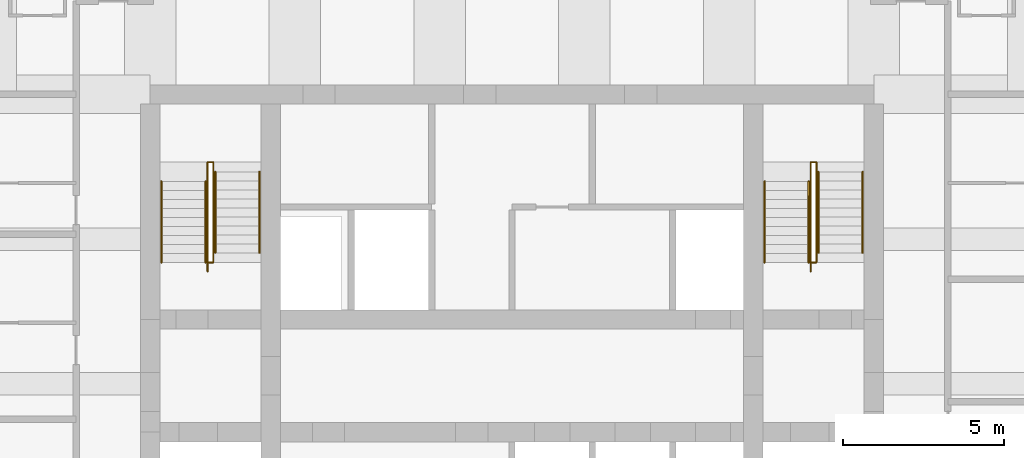
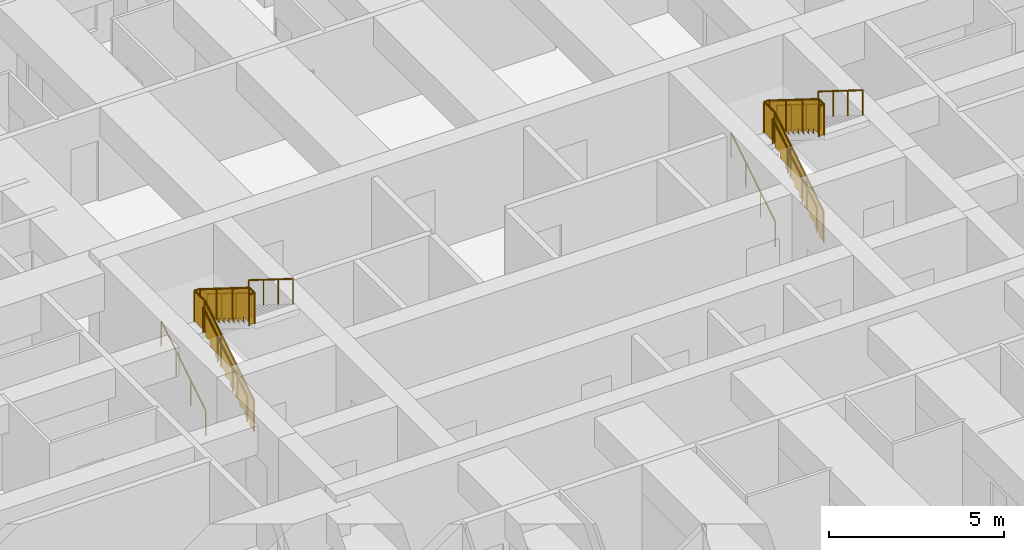
# One storey, part 8 of 8: 12 railings.
"""IFC4 building model written with IfcOpenShell, lengths in metres."""

from ifc_helpers import new_model, si_unit, direction, frame, origin, origin_2d, place, context, subcontext, project, spatial, polyline, circle, outline, extrude, material, type_object, element, save


model = new_model("IFC4")

# Units and contexts
model_context = context("Model", 3, precision=1e-05, world=origin(), true_north=direction((0.0, 1.0)))
body_context = subcontext(model_context, "Body", "Model", "MODEL_VIEW")
ifc_project = project(units=[si_unit("LENGTHUNIT", "METRE"), si_unit("AREAUNIT", "SQUARE_METRE"), si_unit("VOLUMEUNIT", "CUBIC_METRE"), si_unit("PLANEANGLEUNIT", "RADIAN"), si_unit("MASSUNIT", "GRAM", prefix="KILO")], contexts=[model_context])

# Site, building, storey
site_placement = place(None, origin())
site = spatial("IfcSite", under=ifc_project, at=site_placement, CompositionType="ELEMENT")
building_placement = place(site_placement, origin())
building = spatial("IfcBuilding", under=site, at=building_placement, Name="Kilele Tower Hotel", CompositionType="ELEMENT")
storey_placement = place(building_placement, frame((0.0, 0.0, 135.39990234375)))
storey = spatial("IfcBuildingStorey", under=building, at=storey_placement, Name="L35", CompositionType="ELEMENT", Elevation=135.39990234375)

# Railings
ifc_material_1 = material(Name="Steel handrail", Category="steel")
railing_type_1 = type_object("IfcRailingType", Name="Handrail 900", PredefinedType="HANDRAIL", material=ifc_material_1)
for number, where, name in (
    (1, (13.85009765625, 21.77490234375, 0.175048828125), "Handrail ST1 flight 1"),
    (2, (15.22509765625, 21.77490234375, 0.175048828125), "Handrail ST1 flight 1"),
):
    element("IfcRailing", number, at=place(storey_placement, frame(where)), inside=storey, type_object=railing_type_1, Name=name, PredefinedType="HANDRAIL", context=body_context, shape_type="SweptSolid", body=[
        extrude(circle(Radius=0.02490234375, at=origin_2d()), frame((0.0, 0.0, 0.875), z_axis=(0.0, 0.848007534815, 0.529984170421), x_axis=(-1.0, 0.0, 0.0)), (0.0, 0.0, 1.0), 2.9716796875),
        extrude(circle(Radius=0.02001953125, at=origin_2d()), origin(), (0.0, 0.0, 1.0), 0.849853515625),
        extrude(circle(Radius=0.02001953125, at=origin_2d()), frame((0.0, 0.840087890625, 0.52490234375)), (0.0, 0.0, 1.0), 0.849853515625),
        extrude(circle(Radius=0.02001953125, at=origin_2d()), frame((0.0, 1.679931640625, 1.050048828125)), (0.0, 0.0, 1.0), 0.849853515625),
        extrude(circle(Radius=0.02001953125, at=origin_2d()), frame((0.0, 2.52001953125, 1.574951171875)), (0.0, 0.0, 1.0), 0.849853515625),
    ])
for number, where, name in (
    (3, (15.52490234375, 24.594970703125, 1.925048828125), "Handrail ST1 flight 2"),
    (4, (16.89990234375, 24.594970703125, 1.925048828125), "Handrail ST1 flight 2"),
):
    element("IfcRailing", number, at=place(storey_placement, frame(where)), inside=storey, type_object=railing_type_1, Name=name, PredefinedType="HANDRAIL", context=body_context, shape_type="SweptSolid", body=[
        extrude(circle(Radius=0.02490234375, at=origin_2d()), frame((0.0, 0.0, 0.875), z_axis=(0.0, -0.848007534815, 0.529984170421), x_axis=(1.0, 0.0, 0.0)), (0.0, 0.0, 1.0), 2.9716796875),
        extrude(circle(Radius=0.02001953125, at=origin_2d()), origin(), (0.0, 0.0, 1.0), 0.849853515625),
        extrude(circle(Radius=0.02001953125, at=origin_2d()), frame((0.0, -0.840087890625, 0.52490234375)), (0.0, 0.0, 1.0), 0.849853515625),
        extrude(circle(Radius=0.02001953125, at=origin_2d()), frame((0.0, -1.679931640625, 1.050048828125)), (0.0, 0.0, 1.0), 0.849853515625),
        extrude(circle(Radius=0.02001953125, at=origin_2d()), frame((0.0, -2.52001953125, 1.574951171875)), (0.0, 0.0, 1.0), 0.849853515625),
    ])
for number, where, name in (
    (5, (32.60009765625, 21.77490234375, 0.175048828125), "Handrail ST2 flight 1"),
    (6, (33.97509765625, 21.77490234375, 0.175048828125), "Handrail ST2 flight 1"),
):
    element("IfcRailing", number, at=place(storey_placement, frame(where)), inside=storey, type_object=railing_type_1, Name=name, PredefinedType="HANDRAIL", context=body_context, shape_type="SweptSolid", body=[
        extrude(circle(Radius=0.02490234375, at=origin_2d()), frame((0.0, 0.0, 0.875), z_axis=(0.0, 0.848007534815, 0.529984170421), x_axis=(-1.0, 0.0, 0.0)), (0.0, 0.0, 1.0), 2.9716796875),
        extrude(circle(Radius=0.02001953125, at=origin_2d()), origin(), (0.0, 0.0, 1.0), 0.849853515625),
        extrude(circle(Radius=0.02001953125, at=origin_2d()), frame((0.0, 0.840087890625, 0.52490234375)), (0.0, 0.0, 1.0), 0.849853515625),
        extrude(circle(Radius=0.02001953125, at=origin_2d()), frame((0.0, 1.679931640625, 1.050048828125)), (0.0, 0.0, 1.0), 0.849853515625),
        extrude(circle(Radius=0.02001953125, at=origin_2d()), frame((0.0, 2.52001953125, 1.574951171875)), (0.0, 0.0, 1.0), 0.849853515625),
    ])
for number, where, name in (
    (7, (34.27490234375, 24.594970703125, 1.925048828125), "Handrail ST2 flight 2"),
    (8, (35.64990234375, 24.594970703125, 1.925048828125), "Handrail ST2 flight 2"),
):
    element("IfcRailing", number, at=place(storey_placement, frame(where)), inside=storey, type_object=railing_type_1, Name=name, PredefinedType="HANDRAIL", context=body_context, shape_type="SweptSolid", body=[
        extrude(circle(Radius=0.02490234375, at=origin_2d()), frame((0.0, 0.0, 0.875), z_axis=(0.0, -0.848007534815, 0.529984170421), x_axis=(1.0, 0.0, 0.0)), (0.0, 0.0, 1.0), 2.9716796875),
        extrude(circle(Radius=0.02001953125, at=origin_2d()), origin(), (0.0, 0.0, 1.0), 0.849853515625),
        extrude(circle(Radius=0.02001953125, at=origin_2d()), frame((0.0, -0.840087890625, 0.52490234375)), (0.0, 0.0, 1.0), 0.849853515625),
        extrude(circle(Radius=0.02001953125, at=origin_2d()), frame((0.0, -1.679931640625, 1.050048828125)), (0.0, 0.0, 1.0), 0.849853515625),
        extrude(circle(Radius=0.02001953125, at=origin_2d()), frame((0.0, -2.52001953125, 1.574951171875)), (0.0, 0.0, 1.0), 0.849853515625),
    ])
ifc_material_2 = material(Name="Steel guard", Category="steel")
railing_type_2 = type_object("IfcRailingType", Name="Stair guard 1100", PredefinedType="GUARDRAIL", material=ifc_material_2)
railing_1_placement = place(storey_placement, frame((15.284912109375, 21.4951171875, 0.0)))
element("IfcRailing", 9, at=railing_1_placement, inside=storey, type_object=railing_type_2, Name="Stair well guard ST1 flight 1", PredefinedType="GUARDRAIL", context=body_context, shape_type="SweptSolid", body=[
    extrude(circle(Radius=0.02490234375, at=origin_2d()), frame((0.0, 0.0, 1.0751953125), z_axis=(0.0, 0.847981687118, 0.530025526095), x_axis=(-1.0, 0.0, 0.0)), (0.0, 0.0, 1.0), 3.3017578125),
    extrude(circle(Radius=0.02490234375, at=origin_2d()), frame((0.0, 2.7998046875, 2.8251953125), z_axis=(0.0, 1.0, 0.0), x_axis=(-1.0, 0.0, 0.0)), (0.0, 0.0, 1.0), 0.60009765625),
    extrude(circle(Radius=0.02490234375, at=origin_2d()), frame((0.0, 3.39990234375, 2.8251953125), z_axis=(1.0, 0.0, 0.0), x_axis=(0.0, 1.0, 0.0)), (0.0, 0.0, 1.0), 0.18017578125),
    extrude(circle(Radius=0.02490234375, at=origin_2d()), origin(), (0.0, 0.0, 1.0), 1.050048828125),
    extrude(circle(Radius=0.02490234375, at=origin_2d()), frame((0.0, 0.933349609375, 0.583251953125)), (0.0, 0.0, 1.0), 1.050048828125),
    extrude(circle(Radius=0.02490234375, at=origin_2d()), frame((0.0, 1.866455078125, 1.166748046875)), (0.0, 0.0, 1.0), 1.050048828125),
    extrude(circle(Radius=0.02490234375, at=origin_2d()), frame((0.0, 2.7998046875, 1.75)), (0.0, 0.0, 1.0), 1.050048828125),
    extrude(circle(Radius=0.02490234375, at=origin_2d()), frame((0.0, 3.39990234375, 1.75)), (0.0, 0.0, 1.0), 1.050048828125),
    extrude(circle(Radius=0.02490234375, at=origin_2d()), frame((0.18017578125, 3.39990234375, 1.75)), (0.0, 0.0, 1.0), 1.050048828125),
    extrude(outline(polyline([(0.012451171875, 0.030029296875), (0.25, 0.030029296875), (0.25, 0.205078125), (0.530029296875, 0.205078125), (0.530029296875, 0.380126953125), (0.809814453125, 0.380126953125), (0.809814453125, 0.554931640625), (1.08984375, 0.554931640625), (1.08984375, 0.72998046875), (1.369873046875, 0.72998046875), (1.369873046875, 0.905029296875), (1.64990234375, 0.905029296875), (1.64990234375, 1.080078125), (1.929931640625, 1.080078125), (1.929931640625, 1.255126953125), (2.209716796875, 1.255126953125), (2.209716796875, 1.429931640625), (2.48974609375, 1.429931640625), (2.48974609375, 1.60498046875), (2.769775390625, 1.60498046875), (2.769775390625, 1.780029296875), (2.787353515625, 1.780029296875), (2.787353515625, 2.787841796875), (0.012451171875, 1.053466796875), (0.012451171875, 0.030029296875)])), frame((-0.005859375, 0.0, 0.0), z_axis=(1.0, 0.0, 0.0), x_axis=(0.0, 1.0, 0.0)), (0.0, 0.0, 1.0), 0.011962890625),
    extrude(outline(polyline([(0.012451171875, 0.030029296875), (0.587646484375, 0.030029296875), (0.587646484375, 1.050048828125), (0.012451171875, 1.050048828125), (0.012451171875, 0.030029296875)])), frame((-0.005859375, 2.7998046875, 1.75), z_axis=(1.0, 0.0, 0.0), x_axis=(0.0, 1.0, 0.0)), (0.0, 0.0, 1.0), 0.011962890625),
    extrude(outline(polyline([(0.012451171875, 0.030029296875), (0.18017578125, 0.030029296875), (0.18017578125, 1.050048828125), (0.012451171875, 1.050048828125), (0.012451171875, 0.030029296875)])), frame((0.0, 3.40576171875, 1.75), z_axis=(0.0, -1.0, 0.0), x_axis=(1.0, 0.0, 0.0)), (0.0, 0.0, 1.0), 0.011962890625),
])
railing_2_placement = place(storey_placement, frame((15.465087890625, 24.89501953125, 1.75)))
element("IfcRailing", 10, at=railing_2_placement, inside=storey, type_object=railing_type_2, Name="Stair well guard ST1 flight 2", PredefinedType="GUARDRAIL", context=body_context, shape_type="SweptSolid", body=[
    extrude(circle(Radius=0.02490234375, at=origin_2d()), frame((0.0, 0.0, 1.0751953125), z_axis=(0.0, -1.0, 0.0), x_axis=(1.0, 0.0, 0.0)), (0.0, 0.0, 1.0), 0.02001953125),
    extrude(circle(Radius=0.02490234375, at=origin_2d()), frame((0.0, -0.02001953125, 1.0751953125), z_axis=(0.0, -0.848002457836, 0.529992293815), x_axis=(1.0, 0.0, 0.0)), (0.0, 0.0, 1.0), 3.302001953125),
    extrude(circle(Radius=0.02490234375, at=origin_2d()), frame((0.0, -2.820068359375, 2.8251953125), z_axis=(0.0, -1.0, 0.0), x_axis=(1.0, 0.0, 0.0)), (0.0, 0.0, 1.0), 0.300048828125),
    extrude(circle(Radius=0.02490234375, at=origin_2d()), frame((0.0, -3.1201171875, 2.8251953125), z_axis=(-1.0, 0.0, 0.0), x_axis=(0.0, -1.0, 0.0)), (0.0, 0.0, 1.0), 0.18017578125),
    extrude(circle(Radius=0.02490234375, at=origin_2d()), origin(), (0.0, 0.0, 1.0), 1.050048828125),
    extrude(circle(Radius=0.02490234375, at=origin_2d()), frame((0.0, -0.02001953125, 0.0)), (0.0, 0.0, 1.0), 1.050048828125),
    extrude(circle(Radius=0.02490234375, at=origin_2d()), frame((0.0, -0.953369140625, 0.583251953125)), (0.0, 0.0, 1.0), 1.050048828125),
    extrude(circle(Radius=0.02490234375, at=origin_2d()), frame((0.0, -1.88671875, 1.166748046875)), (0.0, 0.0, 1.0), 1.050048828125),
    extrude(circle(Radius=0.02490234375, at=origin_2d()), frame((0.0, -2.820068359375, 1.75)), (0.0, 0.0, 1.0), 1.050048828125),
    extrude(circle(Radius=0.02490234375, at=origin_2d()), frame((0.0, -3.1201171875, 1.75)), (0.0, 0.0, 1.0), 1.050048828125),
    extrude(circle(Radius=0.02490234375, at=origin_2d()), frame((-0.18017578125, -3.1201171875, 1.75)), (0.0, 0.0, 1.0), 1.050048828125),
    extrude(outline(polyline([(0.012451171875, 0.030029296875), (0.25, 0.030029296875), (0.25, 0.205078125), (0.530029296875, 0.205078125), (0.530029296875, 0.380126953125), (0.81005859375, 0.380126953125), (0.81005859375, 0.554931640625), (1.090087890625, 0.554931640625), (1.090087890625, 0.72998046875), (1.3701171875, 0.72998046875), (1.3701171875, 0.905029296875), (1.64990234375, 0.905029296875), (1.64990234375, 1.080078125), (1.929931640625, 1.080078125), (1.929931640625, 1.255126953125), (2.2099609375, 1.255126953125), (2.2099609375, 1.429931640625), (2.489990234375, 1.429931640625), (2.489990234375, 1.60498046875), (2.77001953125, 1.60498046875), (2.77001953125, 1.780029296875), (2.78759765625, 1.780029296875), (2.78759765625, 2.787841796875), (0.012451171875, 1.053466796875), (0.012451171875, 0.030029296875)])), frame((0.005859375, -0.02001953125, 0.0), z_axis=(-1.0, 0.0, 0.0), x_axis=(0.0, -1.0, 0.0)), (0.0, 0.0, 1.0), 0.011962890625),
    extrude(outline(polyline([(0.012451171875, 0.030029296875), (0.28759765625, 0.030029296875), (0.28759765625, 1.050048828125), (0.012451171875, 1.050048828125), (0.012451171875, 0.030029296875)])), frame((0.005859375, -2.820068359375, 1.75), z_axis=(-1.0, 0.0, 0.0), x_axis=(0.0, -1.0, 0.0)), (0.0, 0.0, 1.0), 0.011962890625),
    extrude(outline(polyline([(0.012451171875, 0.030029296875), (0.18017578125, 0.030029296875), (0.18017578125, 1.050048828125), (0.012451171875, 1.050048828125), (0.012451171875, 0.030029296875)])), frame((0.0, -3.1259765625, 1.75), z_axis=(0.0, 1.0, 0.0), x_axis=(-1.0, 0.0, 0.0)), (0.0, 0.0, 1.0), 0.011962890625),
])
railing_3_placement = place(storey_placement, frame((34.034912109375, 21.4951171875, 0.0)))
element("IfcRailing", 11, at=railing_3_placement, inside=storey, type_object=railing_type_2, Name="Stair well guard ST2 flight 1", PredefinedType="GUARDRAIL", context=body_context, shape_type="SweptSolid", body=[
    extrude(circle(Radius=0.02490234375, at=origin_2d()), frame((0.0, 0.0, 1.0751953125), z_axis=(0.0, 0.847981687118, 0.530025526095), x_axis=(-1.0, 0.0, 0.0)), (0.0, 0.0, 1.0), 3.3017578125),
    extrude(circle(Radius=0.02490234375, at=origin_2d()), frame((0.0, 2.7998046875, 2.8251953125), z_axis=(0.0, 1.0, 0.0), x_axis=(-1.0, 0.0, 0.0)), (0.0, 0.0, 1.0), 0.60009765625),
    extrude(circle(Radius=0.02490234375, at=origin_2d()), frame((0.0, 3.39990234375, 2.8251953125), z_axis=(1.0, 0.0, 0.0), x_axis=(0.0, 1.0, 0.0)), (0.0, 0.0, 1.0), 0.18017578125),
    extrude(circle(Radius=0.02490234375, at=origin_2d()), origin(), (0.0, 0.0, 1.0), 1.050048828125),
    extrude(circle(Radius=0.02490234375, at=origin_2d()), frame((0.0, 0.933349609375, 0.583251953125)), (0.0, 0.0, 1.0), 1.050048828125),
    extrude(circle(Radius=0.02490234375, at=origin_2d()), frame((0.0, 1.866455078125, 1.166748046875)), (0.0, 0.0, 1.0), 1.050048828125),
    extrude(circle(Radius=0.02490234375, at=origin_2d()), frame((0.0, 2.7998046875, 1.75)), (0.0, 0.0, 1.0), 1.050048828125),
    extrude(circle(Radius=0.02490234375, at=origin_2d()), frame((0.0, 3.39990234375, 1.75)), (0.0, 0.0, 1.0), 1.050048828125),
    extrude(circle(Radius=0.02490234375, at=origin_2d()), frame((0.18017578125, 3.39990234375, 1.75)), (0.0, 0.0, 1.0), 1.050048828125),
    extrude(outline(polyline([(0.012451171875, 0.030029296875), (0.25, 0.030029296875), (0.25, 0.205078125), (0.530029296875, 0.205078125), (0.530029296875, 0.380126953125), (0.809814453125, 0.380126953125), (0.809814453125, 0.554931640625), (1.08984375, 0.554931640625), (1.08984375, 0.72998046875), (1.369873046875, 0.72998046875), (1.369873046875, 0.905029296875), (1.64990234375, 0.905029296875), (1.64990234375, 1.080078125), (1.929931640625, 1.080078125), (1.929931640625, 1.255126953125), (2.209716796875, 1.255126953125), (2.209716796875, 1.429931640625), (2.48974609375, 1.429931640625), (2.48974609375, 1.60498046875), (2.769775390625, 1.60498046875), (2.769775390625, 1.780029296875), (2.787353515625, 1.780029296875), (2.787353515625, 2.787841796875), (0.012451171875, 1.053466796875), (0.012451171875, 0.030029296875)])), frame((-0.005859375, 0.0, 0.0), z_axis=(1.0, 0.0, 0.0), x_axis=(0.0, 1.0, 0.0)), (0.0, 0.0, 1.0), 0.011962890625),
    extrude(outline(polyline([(0.012451171875, 0.030029296875), (0.587646484375, 0.030029296875), (0.587646484375, 1.050048828125), (0.012451171875, 1.050048828125), (0.012451171875, 0.030029296875)])), frame((-0.005859375, 2.7998046875, 1.75), z_axis=(1.0, 0.0, 0.0), x_axis=(0.0, 1.0, 0.0)), (0.0, 0.0, 1.0), 0.011962890625),
    extrude(outline(polyline([(0.012451171875, 0.030029296875), (0.18017578125, 0.030029296875), (0.18017578125, 1.050048828125), (0.012451171875, 1.050048828125), (0.012451171875, 0.030029296875)])), frame((0.0, 3.40576171875, 1.75), z_axis=(0.0, -1.0, 0.0), x_axis=(1.0, 0.0, 0.0)), (0.0, 0.0, 1.0), 0.011962890625),
])
railing_4_placement = place(storey_placement, frame((34.215087890625, 24.89501953125, 1.75)))
element("IfcRailing", 12, at=railing_4_placement, inside=storey, type_object=railing_type_2, Name="Stair well guard ST2 flight 2", PredefinedType="GUARDRAIL", context=body_context, shape_type="SweptSolid", body=[
    extrude(circle(Radius=0.02490234375, at=origin_2d()), frame((0.0, 0.0, 1.0751953125), z_axis=(0.0, -1.0, 0.0), x_axis=(1.0, 0.0, 0.0)), (0.0, 0.0, 1.0), 0.02001953125),
    extrude(circle(Radius=0.02490234375, at=origin_2d()), frame((0.0, -0.02001953125, 1.0751953125), z_axis=(0.0, -0.848002457836, 0.529992293815), x_axis=(1.0, 0.0, 0.0)), (0.0, 0.0, 1.0), 3.302001953125),
    extrude(circle(Radius=0.02490234375, at=origin_2d()), frame((0.0, -2.820068359375, 2.8251953125), z_axis=(0.0, -1.0, 0.0), x_axis=(1.0, 0.0, 0.0)), (0.0, 0.0, 1.0), 0.300048828125),
    extrude(circle(Radius=0.02490234375, at=origin_2d()), frame((0.0, -3.1201171875, 2.8251953125), z_axis=(-1.0, 0.0, 0.0), x_axis=(0.0, -1.0, 0.0)), (0.0, 0.0, 1.0), 0.18017578125),
    extrude(circle(Radius=0.02490234375, at=origin_2d()), origin(), (0.0, 0.0, 1.0), 1.050048828125),
    extrude(circle(Radius=0.02490234375, at=origin_2d()), frame((0.0, -0.02001953125, 0.0)), (0.0, 0.0, 1.0), 1.050048828125),
    extrude(circle(Radius=0.02490234375, at=origin_2d()), frame((0.0, -0.953369140625, 0.583251953125)), (0.0, 0.0, 1.0), 1.050048828125),
    extrude(circle(Radius=0.02490234375, at=origin_2d()), frame((0.0, -1.88671875, 1.166748046875)), (0.0, 0.0, 1.0), 1.050048828125),
    extrude(circle(Radius=0.02490234375, at=origin_2d()), frame((0.0, -2.820068359375, 1.75)), (0.0, 0.0, 1.0), 1.050048828125),
    extrude(circle(Radius=0.02490234375, at=origin_2d()), frame((0.0, -3.1201171875, 1.75)), (0.0, 0.0, 1.0), 1.050048828125),
    extrude(circle(Radius=0.02490234375, at=origin_2d()), frame((-0.18017578125, -3.1201171875, 1.75)), (0.0, 0.0, 1.0), 1.050048828125),
    extrude(outline(polyline([(0.012451171875, 0.030029296875), (0.25, 0.030029296875), (0.25, 0.205078125), (0.530029296875, 0.205078125), (0.530029296875, 0.380126953125), (0.81005859375, 0.380126953125), (0.81005859375, 0.554931640625), (1.090087890625, 0.554931640625), (1.090087890625, 0.72998046875), (1.3701171875, 0.72998046875), (1.3701171875, 0.905029296875), (1.64990234375, 0.905029296875), (1.64990234375, 1.080078125), (1.929931640625, 1.080078125), (1.929931640625, 1.255126953125), (2.2099609375, 1.255126953125), (2.2099609375, 1.429931640625), (2.489990234375, 1.429931640625), (2.489990234375, 1.60498046875), (2.77001953125, 1.60498046875), (2.77001953125, 1.780029296875), (2.78759765625, 1.780029296875), (2.78759765625, 2.787841796875), (0.012451171875, 1.053466796875), (0.012451171875, 0.030029296875)])), frame((0.005859375, -0.02001953125, 0.0), z_axis=(-1.0, 0.0, 0.0), x_axis=(0.0, -1.0, 0.0)), (0.0, 0.0, 1.0), 0.011962890625),
    extrude(outline(polyline([(0.012451171875, 0.030029296875), (0.28759765625, 0.030029296875), (0.28759765625, 1.050048828125), (0.012451171875, 1.050048828125), (0.012451171875, 0.030029296875)])), frame((0.005859375, -2.820068359375, 1.75), z_axis=(-1.0, 0.0, 0.0), x_axis=(0.0, -1.0, 0.0)), (0.0, 0.0, 1.0), 0.011962890625),
    extrude(outline(polyline([(0.012451171875, 0.030029296875), (0.18017578125, 0.030029296875), (0.18017578125, 1.050048828125), (0.012451171875, 1.050048828125), (0.012451171875, 0.030029296875)])), frame((0.0, -3.1259765625, 1.75), z_axis=(0.0, 1.0, 0.0), x_axis=(-1.0, 0.0, 0.0)), (0.0, 0.0, 1.0), 0.011962890625),
])

save(model, "model.ifc")
